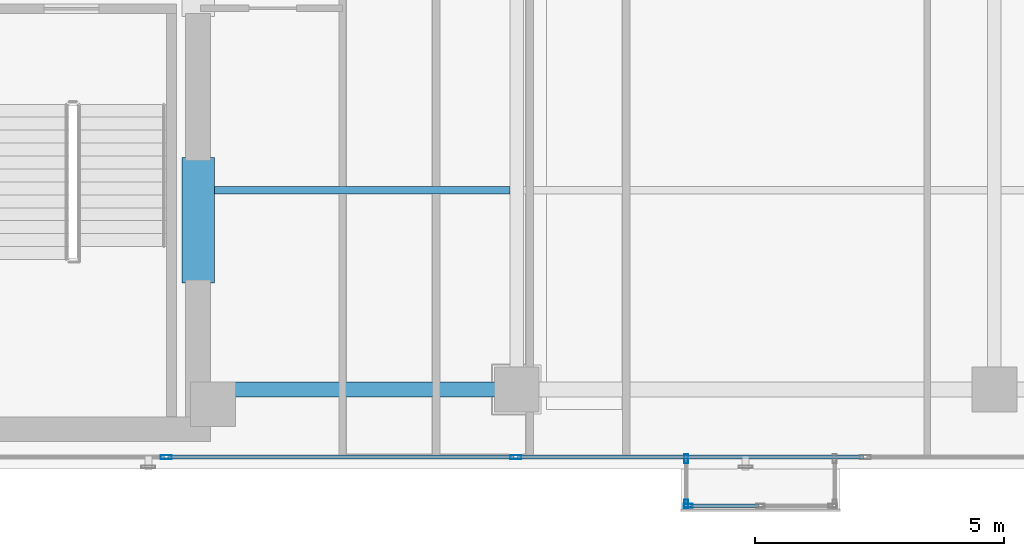
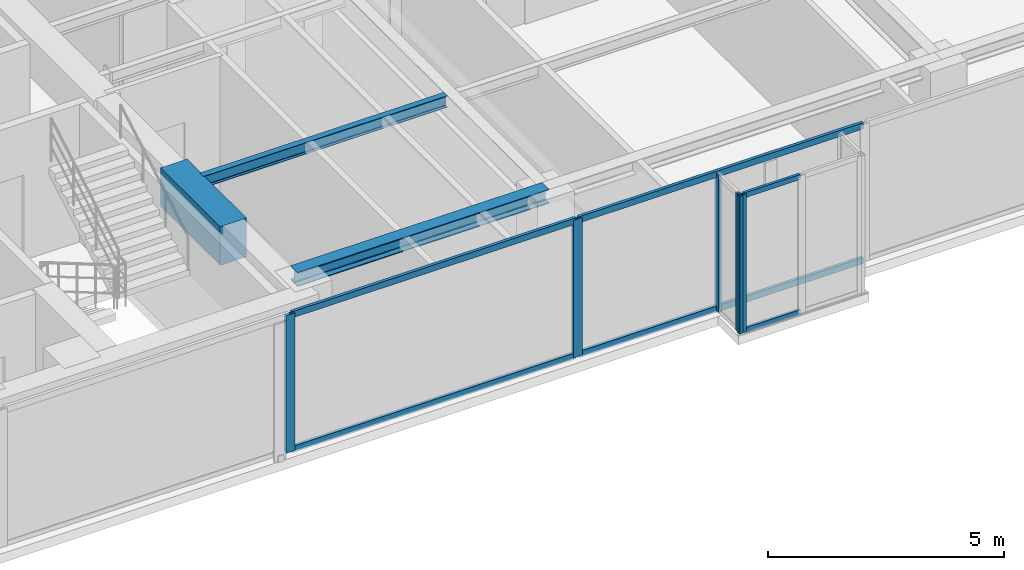
# One storey, part 4 of 22: 11 members, 3 beams, 3 elements without a shape of their own.
"""IFC4 building model written with IfcOpenShell, lengths in metres."""

from ifc_helpers import new_model, si_unit, direction, frame, origin, origin_with_axes, origin_2d, place, context, subcontext, project, spatial, rectangle, hollow_rectangle, i_section, extrude, source, transform, mapped, material, layer, layer_set, material_profile, profile_set, type_object, element, aggregate, save


model = new_model("IFC4")

# Units and contexts
model_context = context("Model", 3, precision=1e-05, world=origin(), true_north=direction((0.0, 1.0)))
body_context = subcontext(model_context, "Body", "Model", "MODEL_VIEW")
ifc_project = project(units=[si_unit("LENGTHUNIT", "METRE"), si_unit("AREAUNIT", "SQUARE_METRE"), si_unit("VOLUMEUNIT", "CUBIC_METRE"), si_unit("PLANEANGLEUNIT", "RADIAN"), si_unit("MASSUNIT", "GRAM", prefix="KILO")], contexts=[model_context])

# Site, building, storey
site_placement = place(None, origin())
site = spatial("IfcSite", under=ifc_project, at=site_placement, CompositionType="ELEMENT")
building_placement = place(site_placement, origin())
building = spatial("IfcBuilding", under=site, at=building_placement, Name="Kolvaren Waterfront Exchange", CompositionType="ELEMENT")
storey_placement = place(building_placement, frame((0.0, 0.0, 266.60009765625)))
storey = spatial("IfcBuildingStorey", under=building, at=storey_placement, Name="L68", CompositionType="ELEMENT", Elevation=266.60009765625)

# Beams
ifc_material_1 = material(Name="Steel S355", Category="steel")
ifc_material_profile_1 = material_profile(ifc_material_1, i_section(OverallWidth=0.300048828125, OverallDepth=0.360107421875, WebThickness=0.012451171875, FlangeThickness=0.0224609375, FilletRadius=0.027099609375, at=origin_2d()), Name="HEB360")
ifc_profile_set_1 = profile_set([ifc_material_profile_1], Name="Steel S355")
beam_type_1 = type_object("IfcBeamType", Name="STR-BM-HEB360", PredefinedType="SPANDREL", material=ifc_profile_set_1)
beam_1_placement = place(storey_placement, frame((21.050048828125, 5.199951171875, 3.3798828125), z_axis=(1.0, 0.0, 0.0), x_axis=(0.0, 1.0, 0.0)))
element("IfcBeam", 1, at=beam_1_placement, inside=storey, type_object=beam_type_1, Name="L68 east-arm spandrel S1", PredefinedType="SPANDREL", context=body_context, shape_type="SweptSolid", body=[
    extrude(i_section(OverallWidth=0.300048828125, OverallDepth=0.360107421875, WebThickness=0.012451171875, FlangeThickness=0.0224609375, FilletRadius=0.027099609375, at=origin_2d()), origin(), (0.0, 0.0, 1.0), 6.14990234375),
])
ifc_material_profile_2 = material_profile(ifc_material_1, i_section(OverallWidth=0.14990234375, OverallDepth=0.300048828125, WebThickness=0.007080078125, FlangeThickness=0.0107421875, FilletRadius=0.014892578125, at=origin_2d()), Name="IPE300")
ifc_profile_set_2 = profile_set([ifc_material_profile_2], Name="Steel S355")
beam_type_2 = type_object("IfcBeamType", Name="STR-BM-IPE300", PredefinedType="JOIST", material=ifc_profile_set_2)
beam_2_placement = place(storey_placement, frame((21.10009765625, 9.199951171875, 3.409912109375), z_axis=(1.0, 0.0, 0.0), x_axis=(0.0, 1.0, 0.0)))
element("IfcBeam", 2, at=beam_2_placement, inside=storey, type_object=beam_type_2, Name="L68 east-arm composite joist 1B", PredefinedType="JOIST", context=body_context, shape_type="SweptSolid", body=[
    extrude(i_section(OverallWidth=0.14990234375, OverallDepth=0.300048828125, WebThickness=0.007080078125, FlangeThickness=0.0107421875, FilletRadius=0.014892578125, at=origin_2d()), origin(), (0.0, 0.0, 1.0), 5.96435546875),
])
ifc_material_2 = material(Name="Concrete C60/75", Category="concrete")
ifc_material_profile_3 = material_profile(ifc_material_2, rectangle(XDim=0.64990234375, YDim=1.0, at=origin_2d()), Name="RC-CB-1000x650")
ifc_profile_set_3 = profile_set([ifc_material_profile_3], Name="Concrete C60/75")
beam_type_3 = type_object("IfcBeamType", Name="STR-CB-1000", PredefinedType="SPANDREL", material=ifc_profile_set_3)
beam_3_placement = place(storey_placement, frame((20.800048828125, 7.340087890625, 3.059814453125), z_axis=(0.0, 1.0, 0.0), x_axis=(-1.0, 0.0, 0.0)))
element("IfcBeam", 3, at=beam_3_placement, inside=storey, type_object=beam_type_3, Name="L68 core coupling beam 1", PredefinedType="SPANDREL", context=body_context, shape_type="SweptSolid", body=[
    extrude(rectangle(XDim=0.64990234375, YDim=1.0, at=origin_2d()), origin(), (0.0, 0.0, 1.0), 2.52001953125),
])

# Curtain wall, members
ifc_material_3 = material(Name="Anodised bronze aluminium 6063-T6", Category="aluminium")
ifc_layer_1 = layer(ifc_material_3, 0.219970703125, Name="Anodised bronze aluminium 6063-T6")
ifc_layer_set_1 = layer_set([ifc_layer_1], Name="Anodised bronze aluminium 6063-T6")
curtain_wall_type_1 = type_object("IfcCurtainWallType", Name="ARC-CW-SYS3", PredefinedType="USERDEFINED", material=ifc_layer_set_1)
curtain_wall_1_placement = place(storey_placement, origin())
curtain_wall_1 = element("IfcCurtainWall", 4, at=curtain_wall_1_placement, inside=storey, type_object=curtain_wall_type_1, Name="L68 stick curtain wall CW3 (CW-L68-BOX)", ObjectType="STICK CURTAIN WALL", PredefinedType="USERDEFINED")
ifc_material_profile_4 = material_profile(ifc_material_3, hollow_rectangle(XDim=0.06494140625, YDim=0.1298828125, WallThickness=0.00390625, at=origin_2d()), Name="ALU-TRN-130x65x4")
ifc_profile_set_4 = profile_set([ifc_material_profile_4], Name="Anodised bronze aluminium 6063-T6")
member_type_1 = type_object("IfcMemberType", Name="ARC-CWT-130", PredefinedType="USERDEFINED", material=ifc_profile_set_4)
shared_shape_1 = source(origin_with_axes(), body_context, "Body", "SweptSolid", [
    extrude(hollow_rectangle(XDim=0.06494140625, YDim=0.1298828125, WallThickness=0.00390625, at=origin_2d()), origin(), (0.0, 0.0, 1.0), 1.37744140625),
])
member_1_placement = place(storey_placement, frame((30.68505859375, 2.860107421875, 0.032470703125), z_axis=(1.0, 0.0, 0.0), x_axis=(0.0, 1.0, 0.0)))
member_1 = element("IfcMember", 5, at=member_1_placement, type_object=member_type_1, Name="CW3 transom 1.1", ObjectType="TRANSOM", PredefinedType="USERDEFINED", context=body_context, shape_type="MappedRepresentation", body=[
    mapped(shared_shape_1, transform((0.0, 0.0, 0.0), x_axis=(1.0, 0.0, 0.0), y_axis=(0.0, 1.0, 0.0), z_axis=(0.0, 0.0, 1.0), scale=1.0)),
])
member_2_placement = place(storey_placement, frame((30.68505859375, 2.860107421875, 3.52734375), z_axis=(1.0, 0.0, 0.0), x_axis=(0.0, 1.0, 0.0)))
member_2 = element("IfcMember", 6, at=member_2_placement, type_object=member_type_1, Name="CW3 transom 1.2", ObjectType="TRANSOM", PredefinedType="USERDEFINED", context=body_context, shape_type="MappedRepresentation", body=[
    mapped(shared_shape_1, transform((0.0, 0.0, 0.0), x_axis=(1.0, 0.0, 0.0), y_axis=(0.0, 1.0, 0.0), z_axis=(0.0, 0.0, 1.0), scale=1.0)),
])

curtain_wall_2_placement = place(storey_placement, origin())
curtain_wall_2 = element("IfcCurtainWall", 7, at=curtain_wall_2_placement, inside=storey, type_object=curtain_wall_type_1, Name="L68 stick curtain wall CW3 (CW-L68-BOX-W)", ObjectType="STICK CURTAIN WALL", PredefinedType="USERDEFINED")
ifc_material_profile_5 = material_profile(ifc_material_3, hollow_rectangle(XDim=0.074951171875, YDim=0.179931640625, WallThickness=0.00439453125, at=origin_2d()), Name="ALU-MUL-180x75x4.5")
ifc_profile_set_5 = profile_set([ifc_material_profile_5], Name="Anodised bronze aluminium 6063-T6")
member_type_2 = type_object("IfcMemberType", Name="ARC-CWM-180", PredefinedType="MULLION", material=ifc_profile_set_5)
shared_shape_2 = source(origin_with_axes(), body_context, "Body", "SweptSolid", [
    extrude(hollow_rectangle(XDim=0.074951171875, YDim=0.179931640625, WallThickness=0.00439453125, at=origin_2d()), origin(), (0.0, 0.0, 1.0), 3.559814453125),
])
member_3_placement = place(storey_placement, frame((30.610107421875, 3.802490234375, 0.0), z_axis=(0.0, 0.0, 1.0), x_axis=(1.0, 0.0, 0.0)))
member_3 = element("IfcMember", 8, at=member_3_placement, type_object=member_type_2, Name="CW3 mullion 1", PredefinedType="MULLION", context=body_context, shape_type="MappedRepresentation", body=[
    mapped(shared_shape_2, transform((0.0, 0.0, 0.0), x_axis=(1.0, 0.0, 0.0), y_axis=(0.0, 1.0, 0.0), z_axis=(0.0, 0.0, 1.0), scale=1.0)),
])
member_4_placement = place(storey_placement, frame((30.610107421875, 2.8974609375, 0.0), z_axis=(0.0, 0.0, 1.0), x_axis=(1.0, 0.0, 0.0)))
member_4 = element("IfcMember", 9, at=member_4_placement, type_object=member_type_2, Name="CW3 mullion 2", PredefinedType="MULLION", context=body_context, shape_type="MappedRepresentation", body=[
    mapped(shared_shape_2, transform((0.0, 0.0, 0.0), x_axis=(1.0, 0.0, 0.0), y_axis=(0.0, 1.0, 0.0), z_axis=(0.0, 0.0, 1.0), scale=1.0)),
])
aggregate(curtain_wall_2, [member_3, member_4])

# Member
member_5_placement = place(storey_placement, frame((30.6474609375, 2.860107421875, 0.0), z_axis=(0.0, 0.0, 1.0), x_axis=(0.0, 1.0, 0.0)))
member_5 = element("IfcMember", 10, at=member_5_placement, type_object=member_type_2, Name="CW3 mullion 1", PredefinedType="MULLION", context=body_context, shape_type="MappedRepresentation", body=[
    mapped(shared_shape_2, transform((0.0, 0.0, 0.0), x_axis=(1.0, 0.0, 0.0), y_axis=(0.0, 1.0, 0.0), z_axis=(0.0, 0.0, 1.0), scale=1.0)),
])

aggregate(curtain_wall_1, [member_5, member_1, member_2])

# Curtain wall, members
ifc_layer_2 = layer(ifc_material_3, 0.219970703125, Name="Anodised bronze aluminium 6063-T6")
ifc_layer_set_2 = layer_set([ifc_layer_2], Name="Anodised bronze aluminium 6063-T6")
curtain_wall_type_2 = type_object("IfcCurtainWallType", Name="ARC-CW-SYS1", PredefinedType="USERDEFINED", material=ifc_layer_set_2)
curtain_wall_3_placement = place(storey_placement, origin())
curtain_wall_3 = element("IfcCurtainWall", 11, at=curtain_wall_3_placement, inside=storey, type_object=curtain_wall_type_2, Name="L68 stick curtain wall CW1 (CW-L68-S)", ObjectType="STICK CURTAIN WALL", PredefinedType="USERDEFINED")
ifc_material_4 = material(Name="Anodised aluminium 6063-T6", Category="aluminium")
ifc_material_profile_6 = material_profile(ifc_material_4, hollow_rectangle(XDim=0.080078125, YDim=0.219970703125, WallThickness=0.0048828125, at=origin_2d()), Name="ALU-MUL-220x80x5")
ifc_profile_set_6 = profile_set([ifc_material_profile_6], Name="Anodised aluminium 6063-T6")
member_type_3 = type_object("IfcMemberType", Name="ARC-CWM-220", PredefinedType="MULLION", material=ifc_profile_set_6)
shared_shape_3 = source(origin_with_axes(), body_context, "Body", "SweptSolid", [
    extrude(hollow_rectangle(XDim=0.080078125, YDim=0.219970703125, WallThickness=0.0048828125, at=origin_2d()), origin(), (0.0, 0.0, 1.0), 3.559814453125),
])
member_6_placement = place(storey_placement, frame((20.154296875, 3.840087890625, 0.0), z_axis=(0.0, 0.0, 1.0), x_axis=(0.0, 1.0, 0.0)))
member_6 = element("IfcMember", 12, at=member_6_placement, type_object=member_type_3, Name="CW1 mullion 3", PredefinedType="MULLION", context=body_context, shape_type="MappedRepresentation", body=[
    mapped(shared_shape_3, transform((0.0, 0.0, 0.0), x_axis=(1.0, 0.0, 0.0), y_axis=(0.0, 1.0, 0.0), z_axis=(0.0, 0.0, 1.0), scale=1.0)),
])
member_7_placement = place(storey_placement, frame((27.181640625, 3.840087890625, 0.0), z_axis=(0.0, 0.0, 1.0), x_axis=(0.0, 1.0, 0.0)))
member_7 = element("IfcMember", 13, at=member_7_placement, type_object=member_type_3, Name="CW1 mullion 4", PredefinedType="MULLION", context=body_context, shape_type="MappedRepresentation", body=[
    mapped(shared_shape_3, transform((0.0, 0.0, 0.0), x_axis=(1.0, 0.0, 0.0), y_axis=(0.0, 1.0, 0.0), z_axis=(0.0, 0.0, 1.0), scale=1.0)),
])
ifc_material_profile_7 = material_profile(ifc_material_4, hollow_rectangle(XDim=0.074951171875, YDim=0.159912109375, WallThickness=0.00439453125, at=origin_2d()), Name="ALU-TRN-160x75x4.5")
ifc_profile_set_7 = profile_set([ifc_material_profile_7], Name="Anodised aluminium 6063-T6")
member_type_4 = type_object("IfcMemberType", Name="ARC-CWT-160", PredefinedType="USERDEFINED", material=ifc_profile_set_7)
shared_shape_4 = source(origin_with_axes(), body_context, "Body", "SweptSolid", [
    extrude(hollow_rectangle(XDim=0.074951171875, YDim=0.159912109375, WallThickness=0.00439453125, at=origin_2d()), origin(), (0.0, 0.0, 1.0), 6.947265625),
])
member_8_placement = place(storey_placement, frame((20.1943359375, 3.840087890625, 0.037353515625), z_axis=(1.0, 0.0, 0.0), x_axis=(0.0, 1.0, 0.0)))
member_8 = element("IfcMember", 14, at=member_8_placement, type_object=member_type_4, Name="CW1 transom 3.1", ObjectType="TRANSOM", PredefinedType="USERDEFINED", context=body_context, shape_type="MappedRepresentation", body=[
    mapped(shared_shape_4, transform((0.0, 0.0, 0.0), x_axis=(1.0, 0.0, 0.0), y_axis=(0.0, 1.0, 0.0), z_axis=(0.0, 0.0, 1.0), scale=1.0)),
])
member_9_placement = place(storey_placement, frame((20.1943359375, 3.840087890625, 3.5224609375), z_axis=(1.0, 0.0, 0.0), x_axis=(0.0, 1.0, 0.0)))
member_9 = element("IfcMember", 15, at=member_9_placement, type_object=member_type_4, Name="CW1 transom 3.2", ObjectType="TRANSOM", PredefinedType="USERDEFINED", context=body_context, shape_type="MappedRepresentation", body=[
    mapped(shared_shape_4, transform((0.0, 0.0, 0.0), x_axis=(1.0, 0.0, 0.0), y_axis=(0.0, 1.0, 0.0), z_axis=(0.0, 0.0, 1.0), scale=1.0)),
])
shared_shape_5 = source(origin_with_axes(), body_context, "Body", "SweptSolid", [
    extrude(hollow_rectangle(XDim=0.074951171875, YDim=0.159912109375, WallThickness=0.00439453125, at=origin_2d()), origin(), (0.0, 0.0, 1.0), 6.947021484375),
])
member_10_placement = place(storey_placement, frame((27.2216796875, 3.840087890625, 0.037353515625), z_axis=(1.0, 0.0, 0.0), x_axis=(0.0, 1.0, 0.0)))
member_10 = element("IfcMember", 16, at=member_10_placement, type_object=member_type_4, Name="CW1 transom 4.1", ObjectType="TRANSOM", PredefinedType="USERDEFINED", context=body_context, shape_type="MappedRepresentation", body=[
    mapped(shared_shape_5, transform((0.0, 0.0, 0.0), x_axis=(1.0, 0.0, 0.0), y_axis=(0.0, 1.0, 0.0), z_axis=(0.0, 0.0, 1.0), scale=1.0)),
])
member_11_placement = place(storey_placement, frame((27.2216796875, 3.840087890625, 3.5224609375), z_axis=(1.0, 0.0, 0.0), x_axis=(0.0, 1.0, 0.0)))
member_11 = element("IfcMember", 17, at=member_11_placement, type_object=member_type_4, Name="CW1 transom 4.2", ObjectType="TRANSOM", PredefinedType="USERDEFINED", context=body_context, shape_type="MappedRepresentation", body=[
    mapped(shared_shape_5, transform((0.0, 0.0, 0.0), x_axis=(1.0, 0.0, 0.0), y_axis=(0.0, 1.0, 0.0), z_axis=(0.0, 0.0, 1.0), scale=1.0)),
])
aggregate(curtain_wall_3, [member_6, member_7, member_8, member_9, member_10, member_11])

save(model, "model.ifc")
